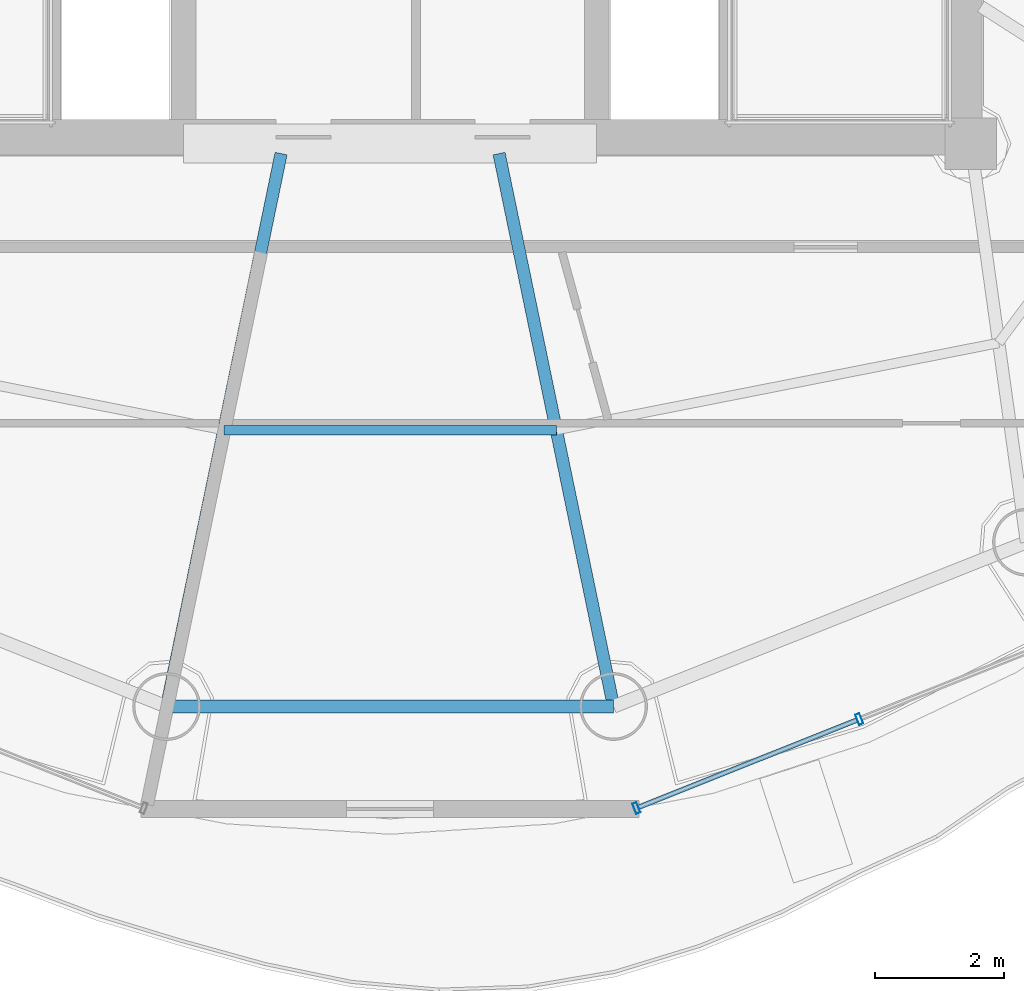
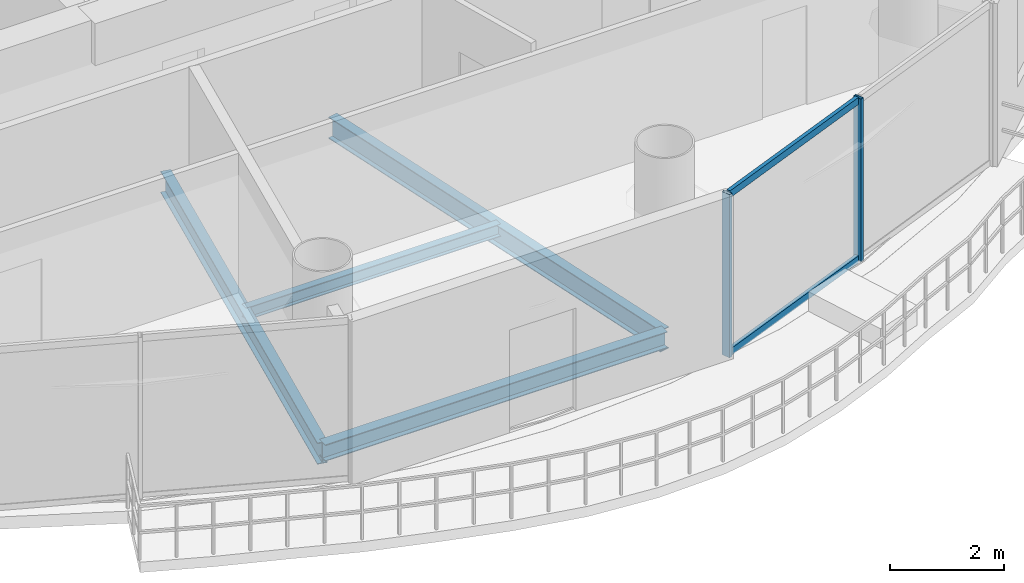
# One storey, part 4 of 21: 4 beams, 4 members, 1 element without a shape of its own.
"""IFC4 building model written with IfcOpenShell, lengths in metres."""

import ifcopenshell
import ifcopenshell.guid

model = None  # the IFC model being written
_history = None  # IfcOwnerHistory: only IFC2X3 demands one
_inside = {}  # id of a spatial element -> (the spatial element, [elements in it])
_under = {}  # id of a project, library or spatial element -> (it, [spatial elements below it])
_declared = {}  # id of a project -> (the project, [libraries it declares])
_typed = {}  # id of a type object -> (the type object, [elements of that type])
_made_of = {}  # id of a material, layer set ... -> (it, [elements and type objects made of it])


def new_model(schema):
    """Start an empty IFC model of exactly this schema.

    Asked for "IFC4X3", IfcOpenShell would pick the latest addendum, in which some entities
    have other attributes; the version numbers below select the first issue.
    IFC2X3 requires an IfcOwnerHistory on every rooted entity: one is made here for all.
    """
    global model, _history
    if schema == "IFC4X3":
        model = ifcopenshell.file(schema_version=(4, 3, 0, 0))
    else:
        model = ifcopenshell.file(schema=schema)
    _inside.clear()
    _under.clear()
    _declared.clear()
    _typed.clear()
    _made_of.clear()
    _history = None
    if model.schema == "IFC2X3":
        org = make("IfcOrganization", Name="unknown")
        user = make(
            "IfcPersonAndOrganization",
            ThePerson=make("IfcPerson", FamilyName="unknown"),
            TheOrganization=org,
        )
        app = make(
            "IfcApplication",
            ApplicationDeveloper=org,
            Version="unknown",
            ApplicationFullName="unknown",
            ApplicationIdentifier="unknown",
        )
        _history = make(
            "IfcOwnerHistory",
            OwningUser=user,
            OwningApplication=app,
            ChangeAction="ADDED",
            CreationDate=0,
        )
    return model


def make(cls, **values):
    """One entity of the class cls with the attributes given. An attribute that is None is left unset."""
    return model.create_entity(
        cls, **{name: value for name, value in values.items() if value is not None}
    )


def rooted(cls, **values):
    """An entity with a GlobalId (a new one), such as an element, a storey or a relation."""
    return make(cls, GlobalId=ifcopenshell.guid.new(), OwnerHistory=_history, **values)


def si_unit(unit_type, name, prefix=None):
    """IfcSIUnit, for example si_unit("LENGTHUNIT", "METRE", prefix="MILLI")."""
    return make("IfcSIUnit", UnitType=unit_type, Prefix=prefix, Name=name)


def assignment(units):
    """IfcUnitAssignment: the units of a project."""
    return None if units is None else make("IfcUnitAssignment", Units=units)


def point(xyz):
    """IfcCartesianPoint."""
    return None if xyz is None else make("IfcCartesianPoint", Coordinates=xyz)


def direction(xyz):
    """IfcDirection."""
    return None if xyz is None else make("IfcDirection", DirectionRatios=xyz)


def frame(location, z_axis=None, x_axis=None):
    """IfcAxis2Placement3D, a coordinate frame: its origin and axes. An axis left out is left unset."""
    return make(
        "IfcAxis2Placement3D",
        Location=point(location),
        Axis=direction(z_axis),
        RefDirection=direction(x_axis),
    )


def frame_2d(location, x_axis=None):
    """IfcAxis2Placement2D, a coordinate frame in the plane: its origin and x axis."""
    return make(
        "IfcAxis2Placement2D", Location=point(location), RefDirection=direction(x_axis)
    )


def origin():
    """The frame at (0, 0, 0) with its axes left unset."""
    return frame((0.0, 0.0, 0.0))


def origin_2d():
    """The frame at (0, 0) in the plane with its x axis left unset."""
    return frame_2d((0.0, 0.0))


def place(relative_to, where):
    """IfcLocalPlacement: puts the frame where relative to a parent placement (None: the world)."""
    return make(
        "IfcLocalPlacement", PlacementRelTo=relative_to, RelativePlacement=where
    )


def context(
    kind, dimensions, precision=None, world=None, true_north=None, identifier=None
):
    """IfcGeometricRepresentationContext, for example the 3D "Model" context."""
    return make(
        "IfcGeometricRepresentationContext",
        ContextIdentifier=identifier,
        ContextType=kind,
        CoordinateSpaceDimension=dimensions,
        Precision=precision,
        WorldCoordinateSystem=world,
        TrueNorth=true_north,
    )


def subcontext(parent, identifier, kind, view, scale=None):
    """IfcGeometricRepresentationSubContext, for example "Body" below "Model"."""
    return make(
        "IfcGeometricRepresentationSubContext",
        ContextIdentifier=identifier,
        ContextType=kind,
        ParentContext=parent,
        TargetScale=scale,
        TargetView=view,
    )


def project(units=None, contexts=None):
    """IfcProject with its units and contexts."""
    return rooted(
        "IfcProject",
        Name="project",
        RepresentationContexts=contexts,
        UnitsInContext=assignment(units),
    )


def spatial(cls, under=None, at=None, **own):
    """A site, building, storey or space (cls), placed at a placement, below another one or the project."""
    s = rooted(cls, ObjectPlacement=at, **own)
    if under is not None:
        _under.setdefault(under.id(), (under, []))[1].append(s)
    return s


def profile(cls, at=None, kind="AREA", **sizes):
    """A parametric profile (cls). Its sizes go by their IFC names, for example OverallWidth=200.0."""
    return make(cls, ProfileType=kind, Position=at, **sizes)


def hollow_rectangle(**sizes):
    """IfcRectangleHollowProfileDef."""
    return profile("IfcRectangleHollowProfileDef", **sizes)


def i_section(**sizes):
    """IfcIShapeProfileDef."""
    return profile("IfcIShapeProfileDef", **sizes)


def extrude(swept, where, along, depth):
    """IfcExtrudedAreaSolid: the profile swept, set in the frame where, extruded along a direction by depth."""
    return make(
        "IfcExtrudedAreaSolid",
        SweptArea=swept,
        Position=where,
        ExtrudedDirection=direction(along),
        Depth=depth,
    )


def shape(context_of_items, identifier, shape_type, items):
    """IfcShapeRepresentation: the items that make up one representation, for example the "Body"."""
    return make(
        "IfcShapeRepresentation",
        ContextOfItems=context_of_items,
        RepresentationIdentifier=identifier,
        RepresentationType=shape_type,
        Items=items,
    )


def source(mapping_origin, context_of_items, identifier, shape_type, items):
    """IfcRepresentationMap: a shape defined once, which mapped items show again and again."""
    return make(
        "IfcRepresentationMap",
        MappingOrigin=mapping_origin,
        MappedRepresentation=shape(context_of_items, identifier, shape_type, items),
    )


def transform(
    local_origin,
    x_axis=None,
    y_axis=None,
    z_axis=None,
    scale=None,
    scale2=None,
    scale3=None,
    uniform=True,
):
    """IfcCartesianTransformationOperator3D, or its non-uniform kind. x_axis, y_axis, z_axis: its Axis1, 2, 3."""
    if uniform:
        return make(
            "IfcCartesianTransformationOperator3D",
            Axis1=direction(x_axis),
            Axis2=direction(y_axis),
            LocalOrigin=point(local_origin),
            Scale=scale,
            Axis3=direction(z_axis),
        )
    return make(
        "IfcCartesianTransformationOperator3DnonUniform",
        Axis1=direction(x_axis),
        Axis2=direction(y_axis),
        LocalOrigin=point(local_origin),
        Scale=scale,
        Axis3=direction(z_axis),
        Scale2=scale2,
        Scale3=scale3,
    )


def mapped(mapping_source, mapping_target):
    """IfcMappedItem: shows the shape of a source again, moved by a transform."""
    return make(
        "IfcMappedItem", MappingSource=mapping_source, MappingTarget=mapping_target
    )


def material(Name=None, Category=None):
    """IfcMaterial."""
    return make("IfcMaterial", Name=Name, Category=Category)


def material_profile(
    of_material, cross_section, Name=None, Category=None, Priority=None
):
    """IfcMaterialProfile: a cross section and its material."""
    return make(
        "IfcMaterialProfile",
        Name=Name,
        Material=of_material,
        Profile=cross_section,
        Priority=Priority,
        Category=Category,
    )


def profile_set(profiles, Name=None, composite=None):
    """IfcMaterialProfileSet."""
    return make(
        "IfcMaterialProfileSet",
        Name=Name,
        MaterialProfiles=profiles,
        CompositeProfile=composite,
    )


def made_of(thing, what):
    """Note that an element or type object is made of a material, layer set ...; save() writes the relation."""
    if what is not None:
        _made_of.setdefault(what.id(), (what, []))[1].append(thing)
    return thing


def type_object(cls, material=None, **own):
    """A type object (cls), such as IfcWallType, which elements share."""
    return made_of(rooted(cls, **own), material)


def element(
    cls,
    number,
    at=None,
    inside=None,
    cuts=None,
    type_object=None,
    material=None,
    context=None,
    identifier="Body",
    shape_type=None,
    held_by="IfcProductDefinitionShape",
    body=None,
    shapes=None,
    **own,
):
    """One element of the class cls, such as IfcWall. Its Tag is "e" and its number.

    at: its placement. inside: the storey or other place that contains it. cuts: it is an
    opening in that element (IfcRelVoidsElement). A single representation is given by context,
    identifier, shape_type and body (its items); several are given by shapes. held_by: the class
    of the entity that holds the representations. save() writes the other relations.
    """
    e = rooted(cls, Tag="e%d" % number, ObjectPlacement=at, **own)
    if body is not None:
        shapes = [shape(context, identifier, shape_type, body)]
    if shapes is not None:
        e.Representation = make(held_by, Representations=shapes)
    if inside is not None:
        _inside.setdefault(inside.id(), (inside, []))[1].append(e)
    if cuts is not None:
        rooted(
            "IfcRelVoidsElement", RelatingBuildingElement=cuts, RelatedOpeningElement=e
        )
    if type_object is not None:
        _typed.setdefault(type_object.id(), (type_object, []))[1].append(e)
    return made_of(e, material)


def aggregate(whole, parts):
    """IfcRelAggregates: a whole, such as a stair, and the parts it consists of."""
    return rooted("IfcRelAggregates", RelatingObject=whole, RelatedObjects=parts)


def save(model, path):
    """Write the relations noted so far, then the file.

    IfcRelAggregates (storeys below a building ...), IfcRelContainedInSpatialStructure (elements
    in a storey), IfcRelDefinesByType, IfcRelAssociatesMaterial and IfcRelDeclares: one each for
    every whole, place, type object, material and project.
    """
    for whole, parts in _under.values():
        aggregate(whole, parts)
    for where, things in _inside.values():
        rooted(
            "IfcRelContainedInSpatialStructure",
            RelatedElements=things,
            RelatingStructure=where,
        )
    for kind, things in _typed.values():
        rooted("IfcRelDefinesByType", RelatedObjects=things, RelatingType=kind)
    for what, things in _made_of.values():
        rooted("IfcRelAssociatesMaterial", RelatedObjects=things, RelatingMaterial=what)
    for by, libraries in _declared.values():
        rooted("IfcRelDeclares", RelatingContext=by, RelatedDefinitions=libraries)
    model.write(path)


model = new_model("IFC4")

# Units and contexts
model_context = context("Model", 3, precision=1e-05, world=origin(), true_north=direction((-0.2419218956, 0.970295726276)))
body_context = subcontext(model_context, "Body", "Model", "MODEL_VIEW")
ifc_project = project(units=[si_unit("LENGTHUNIT", "METRE"), si_unit("AREAUNIT", "SQUARE_METRE"), si_unit("VOLUMEUNIT", "CUBIC_METRE"), si_unit("PLANEANGLEUNIT", "RADIAN"), si_unit("MASSUNIT", "GRAM", prefix="KILO")], contexts=[model_context])

# Site, building, storey
site_placement = place(None, origin())
site = spatial("IfcSite", under=ifc_project, at=site_placement, CompositionType="ELEMENT")
building_placement = place(site_placement, origin())
building = spatial("IfcBuilding", under=site, at=building_placement, Name="Cobrevalo Terracotta Tower", CompositionType="ELEMENT")
storey_placement = place(building_placement, frame((0.0, 0.0, 281.949951171875)))
storey = spatial("IfcBuildingStorey", under=building, at=storey_placement, Name="L74", CompositionType="ELEMENT", Elevation=281.949951171875)

# Beams
ifc_material_1 = material(Name="Steel S355", Category="steel")
ifc_material_profile_1 = material_profile(ifc_material_1, i_section(OverallWidth=0.19091796875, OverallDepth=0.4599609375, WebThickness=0.010009765625, FlangeThickness=0.01611328125, at=origin_2d()), Name="W 460x82")
ifc_profile_set_1 = profile_set([ifc_material_profile_1], Name="Steel S355")
beam_type_1 = type_object("IfcBeamType", Name="Structural Beam W 460x82 (Steel S355)", PredefinedType="BEAM", material=ifc_profile_set_1)
for number, where, z_axis, x_axis, name in (
    (1, (34.537109375, 10.07763671875, -0.489990234375), (0.202781841237, 0.9792239401, 0.0), (-0.9792239401, 0.202781841237, 0.0), "L74 radial floor girder 12"),
    (2, (41.462890625, 10.07763671875, -0.489990234375), (-0.202781841237, 0.9792239401, 0.0), (-0.9792239401, -0.202781841237, 0.0), "L74 radial floor girder 13"),
):
    element("IfcBeam", number, at=place(storey_placement, frame(where, z_axis=z_axis, x_axis=x_axis)), inside=storey, type_object=beam_type_1, Name=name, PredefinedType="BEAM", context=body_context, shape_type="SweptSolid", body=[
        extrude(i_section(OverallWidth=0.19091796875, OverallDepth=0.4599609375, WebThickness=0.010009765625, FlangeThickness=0.01611328125, at=origin_2d()), origin(), (0.0, 0.0, 1.0), 8.749267578125),
    ])
ifc_material_profile_2 = material_profile(ifc_material_1, i_section(OverallWidth=0.14794921875, OverallDepth=0.26611328125, WebThickness=0.007568359375, FlangeThickness=0.012939453125, at=origin_2d()), Name="W 250x44.8")
ifc_profile_set_2 = profile_set([ifc_material_profile_2], Name="Steel S355")
beam_type_2 = type_object("IfcBeamType", Name="Structural Joist W 250x44.8 (Steel S355)", PredefinedType="JOIST", material=ifc_profile_set_2)
beam_1_placement = place(storey_placement, frame((35.42431640625, 14.361328125, -0.39306640625), z_axis=(1.0, 0.0, 0.0), x_axis=(0.0, 1.0, 0.0)))
element("IfcBeam", 3, at=beam_1_placement, inside=storey, type_object=beam_type_2, Name="L74 circumferential secondary floor joist 12", PredefinedType="JOIST", context=body_context, shape_type="SweptSolid", body=[
    extrude(i_section(OverallWidth=0.14794921875, OverallDepth=0.26611328125, WebThickness=0.007568359375, FlangeThickness=0.012939453125, at=origin_2d()), origin(), (0.0, 0.0, 1.0), 5.1513671875),
])
ifc_material_profile_3 = material_profile(ifc_material_1, i_section(OverallWidth=0.205078125, OverallDepth=0.35400390625, WebThickness=0.009521484375, FlangeThickness=0.016845703125, at=origin_2d()), Name="W 360x79")
ifc_profile_set_3 = profile_set([ifc_material_profile_3], Name="Steel S355")
beam_type_3 = type_object("IfcBeamType", Name="Structural Spandrel W 360x79 (Steel S355)", PredefinedType="SPANDREL", material=ifc_profile_set_3)
beam_2_placement = place(storey_placement, frame((34.537109375, 10.07763671875, -0.43701171875), z_axis=(1.0, 0.0, 0.0), x_axis=(0.0, 1.0, 0.0)))
element("IfcBeam", 4, at=beam_2_placement, inside=storey, type_object=beam_type_3, Name="L74 perimeter ring spandrel 12", PredefinedType="SPANDREL", context=body_context, shape_type="SweptSolid", body=[
    extrude(i_section(OverallWidth=0.205078125, OverallDepth=0.35400390625, WebThickness=0.009521484375, FlangeThickness=0.016845703125, at=origin_2d()), origin(), (0.0, 0.0, 1.0), 6.92578125),
])

# Curtain wall, members
ifc_material_2 = material(Name="Anodized aluminium", Category="aluminium")
curtain_wall_type = type_object("IfcCurtainWallType", Name="Upper-tower triple-glazed penthouse curtain wall CW-U3", PredefinedType="NOTDEFINED", material=ifc_material_2)
curtain_wall_placement = place(storey_placement, origin())
curtain_wall = element("IfcCurtainWall", 5, at=curtain_wall_placement, inside=storey, type_object=curtain_wall_type, Name="L74 curtain wall CW-L74-S13", PredefinedType="NOTDEFINED")
ifc_material_profile_4 = material_profile(ifc_material_2, hollow_rectangle(XDim=0.070068359375, YDim=0.169921875, WallThickness=0.00439453125, at=origin_2d()), Name="CWM 70x170")
ifc_profile_set_4 = profile_set([ifc_material_profile_4], Name="Anodized aluminium")
member_type_1 = type_object("IfcMemberType", Name="Upper tower unitised mullion 70x170", PredefinedType="MULLION", material=ifc_profile_set_4)
shared_shape_1 = source(origin(), body_context, "Body", "SweptSolid", [
    extrude(hollow_rectangle(XDim=0.070068359375, YDim=0.169921875, WallThickness=0.00439453125, at=origin_2d()), origin(), (0.0, 0.0, 1.0), 3.489990234375),
])
member_1_placement = place(storey_placement, frame((41.816162109375, 8.503662109375, 0.0), z_axis=(0.0, 0.0, 1.0), x_axis=(0.928718980883, 0.370784377433, 0.0)))
member_1 = element("IfcMember", 6, at=member_1_placement, type_object=member_type_1, Name="CW-L74-S13 vertical mullion 01", PredefinedType="MULLION", context=body_context, shape_type="MappedRepresentation", body=[
    mapped(shared_shape_1, transform((0.0, 0.0, 0.0), scale=1.0)),
])
member_2_placement = place(storey_placement, frame((45.270263671875, 9.882568359375, 0.0), z_axis=(0.0, 0.0, 1.0), x_axis=(0.928718980883, 0.370784377433, 0.0)))
member_2 = element("IfcMember", 7, at=member_2_placement, type_object=member_type_1, Name="CW-L74-S13 vertical mullion 02", PredefinedType="MULLION", context=body_context, shape_type="MappedRepresentation", body=[
    mapped(shared_shape_1, transform((0.0, 0.0, 0.0), scale=1.0)),
])
ifc_material_profile_5 = material_profile(ifc_material_2, hollow_rectangle(XDim=0.074951171875, YDim=0.14990234375, WallThickness=0.00439453125, at=origin_2d()), Name="CWT 75x150")
ifc_profile_set_5 = profile_set([ifc_material_profile_5], Name="Anodized aluminium")
member_type_2 = type_object("IfcMemberType", Name="Tower unitised aluminium transom 75x150", PredefinedType="USERDEFINED", material=ifc_profile_set_5)
shared_shape_2 = source(origin(), body_context, "Body", "SweptSolid", [
    extrude(hollow_rectangle(XDim=0.074951171875, YDim=0.14990234375, WallThickness=0.00439453125, at=origin_2d()), origin(), (0.0, 0.0, 1.0), 3.63916015625),
])
member_3_placement = place(storey_placement, frame((41.853271484375, 8.518310546875, 0.050048828125), z_axis=(0.928712471544, 0.370800681227, 0.0), x_axis=(-0.370800681227, 0.928712471544, 0.0)))
member_3 = element("IfcMember", 8, at=member_3_placement, type_object=member_type_2, Name="CW-L74-S13 transom B01-T1", ObjectType="TRANSOM", PredefinedType="USERDEFINED", context=body_context, shape_type="MappedRepresentation", body=[
    mapped(shared_shape_2, transform((0.0, 0.0, 0.0), scale=1.0)),
])
member_4_placement = place(storey_placement, frame((41.853271484375, 8.518310546875, 3.43994140625), z_axis=(0.928712471544, 0.370800681227, 0.0), x_axis=(-0.370800681227, 0.928712471544, 0.0)))
member_4 = element("IfcMember", 9, at=member_4_placement, type_object=member_type_2, Name="CW-L74-S13 transom B01-T2", ObjectType="TRANSOM", PredefinedType="USERDEFINED", context=body_context, shape_type="MappedRepresentation", body=[
    mapped(shared_shape_2, transform((0.0, 0.0, 0.0), scale=1.0)),
])
aggregate(curtain_wall, [member_1, member_2, member_3, member_4])

save(model, "model.ifc")
